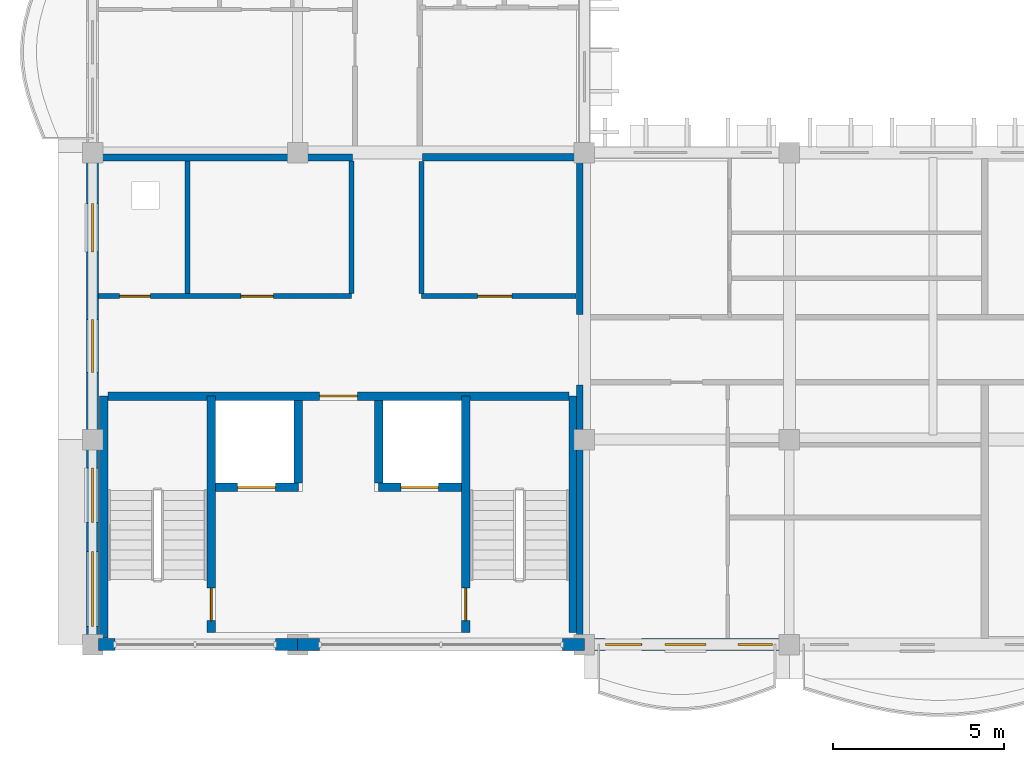
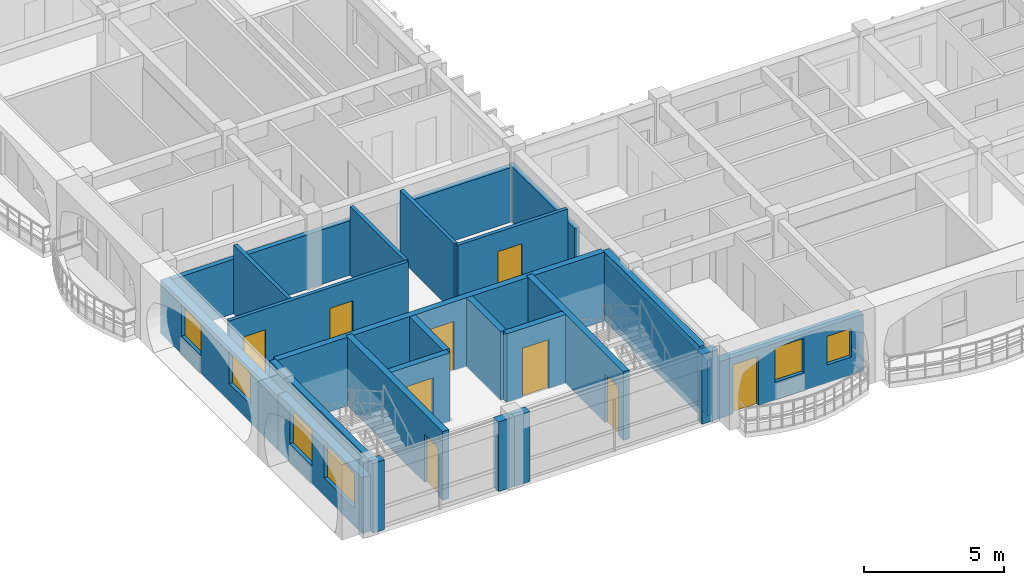
# One storey, part 41 of 101: 25 walls, 9 doors, 6 windows, 15 openings.
"""IFC4 building model written with IfcOpenShell, lengths in metres."""

import ifcopenshell
import ifcopenshell.guid

model = None  # the IFC model being written
_history = None  # IfcOwnerHistory: only IFC2X3 demands one
_inside = {}  # id of a spatial element -> (the spatial element, [elements in it])
_under = {}  # id of a project, library or spatial element -> (it, [spatial elements below it])
_declared = {}  # id of a project -> (the project, [libraries it declares])
_typed = {}  # id of a type object -> (the type object, [elements of that type])
_made_of = {}  # id of a material, layer set ... -> (it, [elements and type objects made of it])


def new_model(schema):
    """Start an empty IFC model of exactly this schema.

    Asked for "IFC4X3", IfcOpenShell would pick the latest addendum, in which some entities
    have other attributes; the version numbers below select the first issue.
    IFC2X3 requires an IfcOwnerHistory on every rooted entity: one is made here for all.
    """
    global model, _history
    if schema == "IFC4X3":
        model = ifcopenshell.file(schema_version=(4, 3, 0, 0))
    else:
        model = ifcopenshell.file(schema=schema)
    _inside.clear()
    _under.clear()
    _declared.clear()
    _typed.clear()
    _made_of.clear()
    _history = None
    if model.schema == "IFC2X3":
        org = make("IfcOrganization", Name="unknown")
        user = make(
            "IfcPersonAndOrganization",
            ThePerson=make("IfcPerson", FamilyName="unknown"),
            TheOrganization=org,
        )
        app = make(
            "IfcApplication",
            ApplicationDeveloper=org,
            Version="unknown",
            ApplicationFullName="unknown",
            ApplicationIdentifier="unknown",
        )
        _history = make(
            "IfcOwnerHistory",
            OwningUser=user,
            OwningApplication=app,
            ChangeAction="ADDED",
            CreationDate=0,
        )
    return model


def make(cls, **values):
    """One entity of the class cls with the attributes given. An attribute that is None is left unset."""
    return model.create_entity(
        cls, **{name: value for name, value in values.items() if value is not None}
    )


def rooted(cls, **values):
    """An entity with a GlobalId (a new one), such as an element, a storey or a relation."""
    return make(cls, GlobalId=ifcopenshell.guid.new(), OwnerHistory=_history, **values)


def si_unit(unit_type, name, prefix=None):
    """IfcSIUnit, for example si_unit("LENGTHUNIT", "METRE", prefix="MILLI")."""
    return make("IfcSIUnit", UnitType=unit_type, Prefix=prefix, Name=name)


def assignment(units):
    """IfcUnitAssignment: the units of a project."""
    return None if units is None else make("IfcUnitAssignment", Units=units)


def point(xyz):
    """IfcCartesianPoint."""
    return None if xyz is None else make("IfcCartesianPoint", Coordinates=xyz)


def direction(xyz):
    """IfcDirection."""
    return None if xyz is None else make("IfcDirection", DirectionRatios=xyz)


def frame(location, z_axis=None, x_axis=None):
    """IfcAxis2Placement3D, a coordinate frame: its origin and axes. An axis left out is left unset."""
    return make(
        "IfcAxis2Placement3D",
        Location=point(location),
        Axis=direction(z_axis),
        RefDirection=direction(x_axis),
    )


def frame_2d(location, x_axis=None):
    """IfcAxis2Placement2D, a coordinate frame in the plane: its origin and x axis."""
    return make(
        "IfcAxis2Placement2D", Location=point(location), RefDirection=direction(x_axis)
    )


def origin():
    """The frame at (0, 0, 0) with its axes left unset."""
    return frame((0.0, 0.0, 0.0))


def place(relative_to, where):
    """IfcLocalPlacement: puts the frame where relative to a parent placement (None: the world)."""
    return make(
        "IfcLocalPlacement", PlacementRelTo=relative_to, RelativePlacement=where
    )


def context(
    kind, dimensions, precision=None, world=None, true_north=None, identifier=None
):
    """IfcGeometricRepresentationContext, for example the 3D "Model" context."""
    return make(
        "IfcGeometricRepresentationContext",
        ContextIdentifier=identifier,
        ContextType=kind,
        CoordinateSpaceDimension=dimensions,
        Precision=precision,
        WorldCoordinateSystem=world,
        TrueNorth=true_north,
    )


def subcontext(parent, identifier, kind, view, scale=None):
    """IfcGeometricRepresentationSubContext, for example "Body" below "Model"."""
    return make(
        "IfcGeometricRepresentationSubContext",
        ContextIdentifier=identifier,
        ContextType=kind,
        ParentContext=parent,
        TargetScale=scale,
        TargetView=view,
    )


def project(units=None, contexts=None):
    """IfcProject with its units and contexts."""
    return rooted(
        "IfcProject",
        Name="project",
        RepresentationContexts=contexts,
        UnitsInContext=assignment(units),
    )


def spatial(cls, under=None, at=None, **own):
    """A site, building, storey or space (cls), placed at a placement, below another one or the project."""
    s = rooted(cls, ObjectPlacement=at, **own)
    if under is not None:
        _under.setdefault(under.id(), (under, []))[1].append(s)
    return s


def profile(cls, at=None, kind="AREA", **sizes):
    """A parametric profile (cls). Its sizes go by their IFC names, for example OverallWidth=200.0."""
    return make(cls, ProfileType=kind, Position=at, **sizes)


def rectangle(**sizes):
    """IfcRectangleProfileDef."""
    return profile("IfcRectangleProfileDef", **sizes)


def extrude(swept, where, along, depth):
    """IfcExtrudedAreaSolid: the profile swept, set in the frame where, extruded along a direction by depth."""
    return make(
        "IfcExtrudedAreaSolid",
        SweptArea=swept,
        Position=where,
        ExtrudedDirection=direction(along),
        Depth=depth,
    )


def shape(context_of_items, identifier, shape_type, items):
    """IfcShapeRepresentation: the items that make up one representation, for example the "Body"."""
    return make(
        "IfcShapeRepresentation",
        ContextOfItems=context_of_items,
        RepresentationIdentifier=identifier,
        RepresentationType=shape_type,
        Items=items,
    )


def material(Name=None, Category=None):
    """IfcMaterial."""
    return make("IfcMaterial", Name=Name, Category=Category)


def layer(
    of_material, thickness, ventilated=None, Name=None, Category=None, Priority=None
):
    """IfcMaterialLayer: one layer of a wall or slab, of a material (None: an air gap)."""
    return make(
        "IfcMaterialLayer",
        Material=of_material,
        LayerThickness=thickness,
        IsVentilated=ventilated,
        Name=Name,
        Category=Category,
        Priority=Priority,
    )


def layer_set(layers, Name=None):
    """IfcMaterialLayerSet."""
    return make("IfcMaterialLayerSet", MaterialLayers=layers, LayerSetName=Name)


def made_of(thing, what):
    """Note that an element or type object is made of a material, layer set ...; save() writes the relation."""
    if what is not None:
        _made_of.setdefault(what.id(), (what, []))[1].append(thing)
    return thing


def type_object(cls, material=None, **own):
    """A type object (cls), such as IfcWallType, which elements share."""
    return made_of(rooted(cls, **own), material)


def element(
    cls,
    number,
    at=None,
    inside=None,
    cuts=None,
    type_object=None,
    material=None,
    context=None,
    identifier="Body",
    shape_type=None,
    held_by="IfcProductDefinitionShape",
    body=None,
    shapes=None,
    **own,
):
    """One element of the class cls, such as IfcWall. Its Tag is "e" and its number.

    at: its placement. inside: the storey or other place that contains it. cuts: it is an
    opening in that element (IfcRelVoidsElement). A single representation is given by context,
    identifier, shape_type and body (its items); several are given by shapes. held_by: the class
    of the entity that holds the representations. save() writes the other relations.
    """
    e = rooted(cls, Tag="e%d" % number, ObjectPlacement=at, **own)
    if body is not None:
        shapes = [shape(context, identifier, shape_type, body)]
    if shapes is not None:
        e.Representation = make(held_by, Representations=shapes)
    if inside is not None:
        _inside.setdefault(inside.id(), (inside, []))[1].append(e)
    if cuts is not None:
        rooted(
            "IfcRelVoidsElement", RelatingBuildingElement=cuts, RelatedOpeningElement=e
        )
    if type_object is not None:
        _typed.setdefault(type_object.id(), (type_object, []))[1].append(e)
    return made_of(e, material)


def fill(opening, filler):
    """IfcRelFillsElement: the door or window that sits in an opening."""
    return rooted(
        "IfcRelFillsElement",
        RelatingOpeningElement=opening,
        RelatedBuildingElement=filler,
    )


def aggregate(whole, parts):
    """IfcRelAggregates: a whole, such as a stair, and the parts it consists of."""
    return rooted("IfcRelAggregates", RelatingObject=whole, RelatedObjects=parts)


def save(model, path):
    """Write the relations noted so far, then the file.

    IfcRelAggregates (storeys below a building ...), IfcRelContainedInSpatialStructure (elements
    in a storey), IfcRelDefinesByType, IfcRelAssociatesMaterial and IfcRelDeclares: one each for
    every whole, place, type object, material and project.
    """
    for whole, parts in _under.values():
        aggregate(whole, parts)
    for where, things in _inside.values():
        rooted(
            "IfcRelContainedInSpatialStructure",
            RelatedElements=things,
            RelatingStructure=where,
        )
    for kind, things in _typed.values():
        rooted("IfcRelDefinesByType", RelatedObjects=things, RelatingType=kind)
    for what, things in _made_of.values():
        rooted("IfcRelAssociatesMaterial", RelatedObjects=things, RelatingMaterial=what)
    for by, libraries in _declared.values():
        rooted("IfcRelDeclares", RelatingContext=by, RelatedDefinitions=libraries)
    model.write(path)


model = new_model("IFC4")

# Units and contexts
model_context = context("Model", 3, precision=1e-05, world=origin(), true_north=direction((0.0, 1.0)))
body_context = subcontext(model_context, "Body", "Model", "MODEL_VIEW")
ifc_project = project(units=[si_unit("LENGTHUNIT", "METRE"), si_unit("AREAUNIT", "SQUARE_METRE"), si_unit("VOLUMEUNIT", "CUBIC_METRE"), si_unit("PLANEANGLEUNIT", "RADIAN"), si_unit("MASSUNIT", "GRAM", prefix="KILO"), si_unit("THERMODYNAMICTEMPERATUREUNIT", "KELVIN")], contexts=[model_context])

# Site, building, storey
site_placement = place(None, origin())
site = spatial("IfcSite", under=ifc_project, at=site_placement, CompositionType="ELEMENT")
building_placement = place(site_placement, origin())
building = spatial("IfcBuilding", under=site, at=building_placement, Name="Thalorik Housing Commons", CompositionType="ELEMENT")
storey_placement = place(building_placement, frame((0.0, 0.0, 8.10009765625)))
storey = spatial("IfcBuildingStorey", under=building, at=storey_placement, Name="L02", CompositionType="ELEMENT", Elevation=8.10009765625)

# Wall, opening, door
ifc_material_1 = material(Name="Concrete C40/50", Category="concrete")
ifc_layer_1 = layer(ifc_material_1, 0.25, Name="Concrete C40/50", Category="concrete")
ifc_layer_set_1 = layer_set([ifc_layer_1], Name="Concrete C40/50")
wall_type_1 = type_object("IfcWallType", Name="ARC-WAL-CORE-250", PredefinedType="SHEAR", material=ifc_layer_set_1)
wall_1_placement = place(storey_placement, frame((11.875, 8.75, 0.0), z_axis=(0.0, 0.0, 1.0), x_axis=(0.0, 1.0, 0.0)))
wall_1 = element("IfcWall", 1, at=wall_1_placement, inside=storey, type_object=wall_type_1, Name="L02 Core C Stair 1 Shear Wall", PredefinedType="SHEAR", context=body_context, shape_type="SweptSolid", body=[
    extrude(rectangle(XDim=6.925048828125, YDim=0.25, at=frame_2d((3.46240234375, 0.0))), origin(), (0.0, 0.0, 1.0), 3.0),
])
opening_1_placement = place(wall_1_placement, frame((0.35009765625, 0.0, 0.0)))
opening_1 = element("IfcOpeningElement", 2, at=opening_1_placement, cuts=wall_1, Name="Opening ID-0273", PredefinedType="OPENING", context=body_context, shape_type="SweptSolid", body=[
    extrude(rectangle(XDim=0.949951171875, YDim=2.10009765625, at=frame_2d((0.47509765625, 1.050048828125))), frame((0.0, 0.135009765625, 0.0), z_axis=(0.0, -1.0, 0.0), x_axis=(1.0, 0.0, 0.0)), (0.0, 0.0, 1.0), 0.27001953125),
])
ifc_material_2 = material(Name="Steel S355", Category="steel")
door_type_1 = type_object("IfcDoorType", Name="ARC-DR-FD60-950", OperationType="NOTDEFINED", PredefinedType="DOOR", material=ifc_material_2)
door_1_placement = place(opening_1_placement, origin())
door_1 = element("IfcDoor", 3, at=door_1_placement, inside=storey, type_object=door_type_1, Name="L02 Stair ST-C1 Fire Door", OperationType="SINGLE_SWING_RIGHT", OverallHeight=2.10009765625, OverallWidth=0.949951171875, PredefinedType="DOOR", context=body_context, shape_type="SweptSolid", body=[
    extrude(rectangle(XDim=0.949951171875, YDim=2.10009765625, at=frame_2d((0.47509765625, 1.050048828125))), frame((0.0, 0.02490234375, 0.0), z_axis=(0.0, -1.0, 0.0), x_axis=(1.0, 0.0, 0.0)), (0.0, 0.0, 1.0), 0.050048828125),
])
fill(opening_1, door_1)

# Walls
wall_2_placement = place(storey_placement, frame((8.72509765625, 8.60009765625, 0.0), z_axis=(0.0, 0.0, 1.0), x_axis=(0.0, 1.0, 0.0)))
element("IfcWall", 4, at=wall_2_placement, inside=storey, type_object=wall_type_1, Name="L02 Core C Stair 1 Outer Shear Wall", PredefinedType="SHEAR", context=body_context, shape_type="SweptSolid", body=[
    extrude(rectangle(XDim=7.074951171875, YDim=0.25, at=frame_2d((3.53759765625, 0.0))), origin(), (0.0, 0.0, 1.0), 3.0),
])
wall_3_placement = place(storey_placement, frame((22.47509765625, 8.75, 0.0), z_axis=(0.0, 0.0, 1.0), x_axis=(0.0, 1.0, 0.0)))
element("IfcWall", 5, at=wall_3_placement, inside=storey, type_object=wall_type_1, Name="L02 Core C Stair 2 Outer Shear Wall", PredefinedType="SHEAR", context=body_context, shape_type="SweptSolid", body=[
    extrude(rectangle(XDim=6.925048828125, YDim=0.25, at=frame_2d((3.46240234375, 0.0))), origin(), (0.0, 0.0, 1.0), 3.0),
])

# Wall, opening, door
wall_4_placement = place(storey_placement, frame((19.324951171875, 8.75, 0.0), z_axis=(0.0, 0.0, 1.0), x_axis=(0.0, 1.0, 0.0)))
wall_4 = element("IfcWall", 6, at=wall_4_placement, inside=storey, type_object=wall_type_1, Name="L02 Core C Stair 2 Shear Wall", PredefinedType="SHEAR", context=body_context, shape_type="SweptSolid", body=[
    extrude(rectangle(XDim=6.925048828125, YDim=0.25, at=frame_2d((3.46240234375, 0.0))), origin(), (0.0, 0.0, 1.0), 3.0),
])
opening_2_placement = place(wall_4_placement, frame((0.35009765625, 0.0, 0.0)))
opening_2 = element("IfcOpeningElement", 7, at=opening_2_placement, cuts=wall_4, Name="Opening ID-0274", PredefinedType="OPENING", context=body_context, shape_type="SweptSolid", body=[
    extrude(rectangle(XDim=0.949951171875, YDim=2.10009765625, at=frame_2d((0.47509765625, 1.050048828125))), frame((0.0, 0.135009765625, 0.0), z_axis=(0.0, -1.0, 0.0), x_axis=(1.0, 0.0, 0.0)), (0.0, 0.0, 1.0), 0.27001953125),
])
door_2_placement = place(opening_2_placement, origin())
door_2 = element("IfcDoor", 8, at=door_2_placement, inside=storey, type_object=door_type_1, Name="L02 Stair ST-C2 Fire Door", OperationType="SINGLE_SWING_LEFT", OverallHeight=2.10009765625, OverallWidth=0.949951171875, PredefinedType="DOOR", context=body_context, shape_type="SweptSolid", body=[
    extrude(rectangle(XDim=0.949951171875, YDim=2.10009765625, at=frame_2d((0.47509765625, 1.050048828125))), frame((0.0, 0.02490234375, 0.0), z_axis=(0.0, -1.0, 0.0), x_axis=(1.0, 0.0, 0.0)), (0.0, 0.0, 1.0), 0.050048828125),
])
fill(opening_2, door_2)

wall_5_placement = place(storey_placement, frame((12.0, 13.0, 0.0), z_axis=(0.0, 0.0, 1.0), x_axis=(1.0, 0.0, 0.0)))
wall_5 = element("IfcWall", 9, at=wall_5_placement, inside=storey, type_object=wall_type_1, Name="L02 Lift LF-C1 Front Shaft Wall", PredefinedType="SHEAR", context=body_context, shape_type="SweptSolid", body=[
    extrude(rectangle(XDim=2.425048828125, YDim=0.25, at=frame_2d((1.21240234375, 0.0))), origin(), (0.0, 0.0, 1.0), 3.0),
])
opening_3_placement = place(wall_5_placement, frame((0.64990234375, 0.0, 0.0)))
opening_3 = element("IfcOpeningElement", 10, at=opening_3_placement, cuts=wall_5, Name="Opening LD-LF-C1-L02", PredefinedType="OPENING", context=body_context, shape_type="SweptSolid", body=[
    extrude(rectangle(XDim=1.10009765625, YDim=2.14990234375, at=frame_2d((0.550048828125, 1.074951171875))), frame((0.0, 0.135009765625, 0.0), z_axis=(0.0, -1.0, 0.0), x_axis=(1.0, 0.0, 0.0)), (0.0, 0.0, 1.0), 0.27001953125),
])
door_type_2 = type_object("IfcDoorType", Name="ARC-DR-LIFT-1100", OperationType="NOTDEFINED", PredefinedType="DOOR", material=ifc_material_2)
door_3_placement = place(opening_3_placement, origin())
door_3 = element("IfcDoor", 11, at=door_3_placement, inside=storey, type_object=door_type_2, Name="L02 Lift LF-C1 Landing Door", OperationType="SLIDING_TO_LEFT", OverallHeight=2.14990234375, OverallWidth=1.10009765625, PredefinedType="DOOR", context=body_context, shape_type="SweptSolid", body=[
    extrude(rectangle(XDim=1.10009765625, YDim=2.14990234375, at=frame_2d((0.550048828125, 1.074951171875))), frame((0.0, 0.02490234375, 0.0), z_axis=(0.0, -1.0, 0.0), x_axis=(1.0, 0.0, 0.0)), (0.0, 0.0, 1.0), 0.050048828125),
])
fill(opening_3, door_3)

wall_6_placement = place(storey_placement, frame((16.77490234375, 13.0, 0.0), z_axis=(0.0, 0.0, 1.0), x_axis=(1.0, 0.0, 0.0)))
wall_6 = element("IfcWall", 12, at=wall_6_placement, inside=storey, type_object=wall_type_1, Name="L02 Lift LP-C2 Front Shaft Wall", PredefinedType="SHEAR", context=body_context, shape_type="SweptSolid", body=[
    extrude(rectangle(XDim=2.425048828125, YDim=0.25, at=frame_2d((1.21240234375, 0.0))), origin(), (0.0, 0.0, 1.0), 3.0),
])
opening_4_placement = place(wall_6_placement, frame((0.64990234375, 0.0, 0.0)))
opening_4 = element("IfcOpeningElement", 13, at=opening_4_placement, cuts=wall_6, Name="Opening LD-LP-C2-L02", PredefinedType="OPENING", context=body_context, shape_type="SweptSolid", body=[
    extrude(rectangle(XDim=1.10009765625, YDim=2.14990234375, at=frame_2d((0.550048828125, 1.074951171875))), frame((0.0, 0.135009765625, 0.0), z_axis=(0.0, -1.0, 0.0), x_axis=(1.0, 0.0, 0.0)), (0.0, 0.0, 1.0), 0.27001953125),
])
door_4_placement = place(opening_4_placement, origin())
door_4 = element("IfcDoor", 14, at=door_4_placement, inside=storey, type_object=door_type_2, Name="L02 Lift LP-C2 Landing Door", OperationType="SLIDING_TO_LEFT", OverallHeight=2.14990234375, OverallWidth=1.10009765625, PredefinedType="DOOR", context=body_context, shape_type="SweptSolid", body=[
    extrude(rectangle(XDim=1.10009765625, YDim=2.14990234375, at=frame_2d((0.550048828125, 1.074951171875))), frame((0.0, 0.02490234375, 0.0), z_axis=(0.0, -1.0, 0.0), x_axis=(1.0, 0.0, 0.0)), (0.0, 0.0, 1.0), 0.050048828125),
])
fill(opening_4, door_4)

# Walls
for number, where, z_axis, x_axis, name in (
    (15, (14.425048828125, 13.125, 0.0), (0.0, 0.0, 1.0), (0.0, 1.0, 0.0), "L02 Lift 1 Cheek Wall"),
    (16, (16.77490234375, 13.125, 0.0), (0.0, 0.0, 1.0), (0.0, 1.0, 0.0), "L02 Lift 2 Cheek Wall"),
):
    element("IfcWall", number, at=place(storey_placement, frame(where, z_axis=z_axis, x_axis=x_axis)), inside=storey, type_object=wall_type_1, Name=name, PredefinedType="SHEAR", context=body_context, shape_type="SweptSolid", body=[
        extrude(rectangle(XDim=2.425048828125, YDim=0.25, at=frame_2d((1.21240234375, 0.0))), origin(), (0.0, 0.0, 1.0), 3.0),
    ])

# Wall, opening, door
wall_7_placement = place(storey_placement, frame((8.85009765625, 15.675048828125, 0.0), z_axis=(0.0, 0.0, 1.0), x_axis=(1.0, 0.0, 0.0)))
wall_7 = element("IfcWall", 17, at=wall_7_placement, inside=storey, type_object=wall_type_1, Name="L02 Core C Spine Shear Wall", PredefinedType="SHEAR", context=body_context, shape_type="SweptSolid", body=[
    extrude(rectangle(XDim=13.5, YDim=0.25, at=frame_2d((6.75, 0.0))), origin(), (0.0, 0.0, 1.0), 3.0),
])
opening_5_placement = place(wall_7_placement, frame((6.199951171875, 0.0, 0.0)))
opening_5 = element("IfcOpeningElement", 18, at=opening_5_placement, cuts=wall_7, Name="Opening ID-0277", PredefinedType="OPENING", context=body_context, shape_type="SweptSolid", body=[
    extrude(rectangle(XDim=1.10009765625, YDim=2.14990234375, at=frame_2d((0.550048828125, 1.074951171875))), frame((0.0, 0.135009765625, 0.0), z_axis=(0.0, -1.0, 0.0), x_axis=(1.0, 0.0, 0.0)), (0.0, 0.0, 1.0), 0.27001953125),
])
door_type_3 = type_object("IfcDoorType", Name="ARC-DR-FD60-1100", OperationType="NOTDEFINED", PredefinedType="DOOR", material=ifc_material_2)
door_5_placement = place(opening_5_placement, origin())
door_5 = element("IfcDoor", 19, at=door_5_placement, inside=storey, type_object=door_type_3, Name="L02 Core C Lobby Fire Door", OperationType="SINGLE_SWING_RIGHT", OverallHeight=2.14990234375, OverallWidth=1.10009765625, PredefinedType="DOOR", context=body_context, shape_type="SweptSolid", body=[
    extrude(rectangle(XDim=1.10009765625, YDim=2.14990234375, at=frame_2d((0.550048828125, 1.074951171875))), frame((0.0, 0.02490234375, 0.0), z_axis=(0.0, -1.0, 0.0), x_axis=(1.0, 0.0, 0.0)), (0.0, 0.0, 1.0), 0.050048828125),
])
fill(opening_5, door_5)

# Wall, openings, windows
ifc_material_3 = material(Name="White precast concrete C40/50", Category="concrete")
ifc_layer_2 = layer(ifc_material_3, 0.35009765625, Name="White precast concrete C40/50", Category="concrete")
ifc_layer_set_2 = layer_set([ifc_layer_2], Name="White precast concrete C40/50")
wall_type_2 = type_object("IfcWallType", Name="ARC-WAL-EXT-350", PredefinedType="STANDARD", material=ifc_layer_set_2)
wall_8_placement = place(storey_placement, frame((8.39990234375, 22.800048828125, 0.0), z_axis=(0.0, 0.0, 1.0), x_axis=(0.0, -1.0, 0.0)))
wall_8 = element("IfcWall", 20, at=wall_8_placement, inside=storey, type_object=wall_type_2, Name="L02 Exterior Wall WAL-EXT-L02-C-0889", PredefinedType="STANDARD", context=body_context, shape_type="SweptSolid", body=[
    extrude(rectangle(XDim=8.400146484375, YDim=0.35009765625, at=frame_2d((4.2001953125, 0.0))), origin(), (0.0, 0.0, 1.0), 2.344970703125),
])
opening_6_placement = place(wall_8_placement, frame((1.485107421875, 0.0, 0.780029296875)))
opening_6 = element("IfcOpeningElement", 21, at=opening_6_placement, cuts=wall_8, Name="Opening W-50", PredefinedType="OPENING", context=body_context, shape_type="SweptSolid", body=[
    extrude(rectangle(XDim=1.419921875, YDim=1.3798828125, at=frame_2d((0.7099609375, 0.68994140625))), frame((0.0, 0.18505859375, 0.0), z_axis=(0.0, -1.0, 0.0), x_axis=(1.0, 0.0, 0.0)), (0.0, 0.0, 1.0), 0.3701171875),
])
opening_7_placement = place(wall_8_placement, frame((4.887451171875, 0.0, 0.780029296875)))
opening_7 = element("IfcOpeningElement", 22, at=opening_7_placement, cuts=wall_8, Name="Opening W-12", PredefinedType="OPENING", context=body_context, shape_type="SweptSolid", body=[
    extrude(rectangle(XDim=1.550048828125, YDim=1.39990234375, at=frame_2d((0.77490234375, 0.699951171875))), frame((0.0, 0.18505859375, 0.0), z_axis=(0.0, -1.0, 0.0), x_axis=(1.0, 0.0, 0.0)), (0.0, 0.0, 1.0), 0.3701171875),
])
ifc_material_4 = material(Name="Anodised aluminium and solar-control low-E glass", Category="aluminium")
window_type_1 = type_object("IfcWindowType", Name="ARC-WIN-12", PartitioningType="SINGLE_PANEL", PredefinedType="WINDOW", material=ifc_material_4)
window_1_placement = place(opening_7_placement, origin())
window_1 = element("IfcWindow", 23, at=window_1_placement, inside=storey, type_object=window_type_1, Name="L02 Facade Window 1646", OverallHeight=1.39990234375, OverallWidth=1.550048828125, PartitioningType="SINGLE_PANEL", PredefinedType="WINDOW", context=body_context, shape_type="SweptSolid", body=[
    extrude(rectangle(XDim=1.550048828125, YDim=1.39990234375, at=frame_2d((0.77490234375, 0.699951171875))), frame((0.0, 0.030029296875, 0.0), z_axis=(0.0, -1.0, 0.0), x_axis=(1.0, 0.0, 0.0)), (0.0, 0.0, 1.0), 0.06005859375),
])
fill(opening_7, window_1)
window_type_2 = type_object("IfcWindowType", Name="ARC-WIN-50", PartitioningType="SINGLE_PANEL", PredefinedType="WINDOW", material=ifc_material_4)
window_2_placement = place(opening_6_placement, origin())
window_2 = element("IfcWindow", 24, at=window_2_placement, inside=storey, type_object=window_type_2, Name="L02 Facade Window 1645", OverallHeight=1.3798828125, OverallWidth=1.419921875, PartitioningType="SINGLE_PANEL", PredefinedType="WINDOW", context=body_context, shape_type="SweptSolid", body=[
    extrude(rectangle(XDim=1.419921875, YDim=1.3798828125, at=frame_2d((0.7099609375, 0.68994140625))), frame((0.0, 0.030029296875, 0.0), z_axis=(0.0, -1.0, 0.0), x_axis=(1.0, 0.0, 0.0)), (0.0, 0.0, 1.0), 0.06005859375),
])
fill(opening_6, window_2)

wall_9_placement = place(storey_placement, frame((8.39990234375, 14.39990234375, 0.0), z_axis=(0.0, 0.0, 1.0), x_axis=(0.0, -1.0, 0.0)))
wall_9 = element("IfcWall", 25, at=wall_9_placement, inside=storey, type_object=wall_type_2, Name="L02 Exterior Wall WAL-EXT-L02-C-0890", PredefinedType="STANDARD", context=body_context, shape_type="SweptSolid", body=[
    extrude(rectangle(XDim=6.0, YDim=0.35009765625, at=frame_2d((3.0, 0.0))), origin(), (0.0, 0.0, 1.0), 2.44482421875),
])
opening_8_placement = place(wall_9_placement, frame((0.830078125, 0.0, 0.780029296875)))
opening_8 = element("IfcOpeningElement", 26, at=opening_8_placement, cuts=wall_9, Name="Opening W-13", PredefinedType="OPENING", context=body_context, shape_type="SweptSolid", body=[
    extrude(rectangle(XDim=1.60009765625, YDim=1.550048828125, at=frame_2d((0.800048828125, 0.77490234375))), frame((0.0, 0.18505859375, 0.0), z_axis=(0.0, -1.0, 0.0), x_axis=(1.0, 0.0, 0.0)), (0.0, 0.0, 1.0), 0.3701171875),
])
opening_9_placement = place(wall_9_placement, frame((3.27001953125, 0.0, 0.780029296875)))
opening_9 = element("IfcOpeningElement", 27, at=opening_9_placement, cuts=wall_9, Name="Opening W-29", PredefinedType="OPENING", context=body_context, shape_type="SweptSolid", body=[
    extrude(rectangle(XDim=2.199951171875, YDim=1.5, at=frame_2d((1.10009765625, 0.75))), frame((0.0, 0.18505859375, 0.0), z_axis=(0.0, -1.0, 0.0), x_axis=(1.0, 0.0, 0.0)), (0.0, 0.0, 1.0), 0.3701171875),
])
window_type_3 = type_object("IfcWindowType", Name="ARC-WIN-13", PartitioningType="DOUBLE_PANEL_VERTICAL", PredefinedType="WINDOW", material=ifc_material_4)
window_3_placement = place(opening_8_placement, origin())
window_3 = element("IfcWindow", 28, at=window_3_placement, inside=storey, type_object=window_type_3, Name="L02 Facade Window 1647", OverallHeight=1.550048828125, OverallWidth=1.60009765625, PartitioningType="DOUBLE_PANEL_VERTICAL", PredefinedType="WINDOW", context=body_context, shape_type="SweptSolid", body=[
    extrude(rectangle(XDim=1.60009765625, YDim=1.550048828125, at=frame_2d((0.800048828125, 0.77490234375))), frame((0.0, 0.030029296875, 0.0), z_axis=(0.0, -1.0, 0.0), x_axis=(1.0, 0.0, 0.0)), (0.0, 0.0, 1.0), 0.06005859375),
])
fill(opening_8, window_3)
window_type_4 = type_object("IfcWindowType", Name="ARC-WIN-29", PartitioningType="DOUBLE_PANEL_VERTICAL", PredefinedType="WINDOW", material=ifc_material_4)
window_4_placement = place(opening_9_placement, origin())
window_4 = element("IfcWindow", 29, at=window_4_placement, inside=storey, type_object=window_type_4, Name="L02 Facade Window 1648", OverallHeight=1.5, OverallWidth=2.199951171875, PartitioningType="DOUBLE_PANEL_VERTICAL", PredefinedType="WINDOW", context=body_context, shape_type="SweptSolid", body=[
    extrude(rectangle(XDim=2.199951171875, YDim=1.5, at=frame_2d((1.10009765625, 0.75))), frame((0.0, 0.030029296875, 0.0), z_axis=(0.0, -1.0, 0.0), x_axis=(1.0, 0.0, 0.0)), (0.0, 0.0, 1.0), 0.06005859375),
])
fill(opening_9, window_4)

# Walls
wall_10_placement = place(storey_placement, frame((8.576904296875, 8.39990234375, 0.0), z_axis=(0.0, 0.0, 1.0), x_axis=(1.0, 0.0, 0.0)))
element("IfcWall", 30, at=wall_10_placement, inside=storey, type_object=wall_type_2, Name="L02 Exterior Wall WAL-PIERL-L02-C-0891", PredefinedType="STANDARD", context=body_context, shape_type="SweptSolid", body=[
    extrude(rectangle(XDim=0.47314453125, YDim=0.35009765625, at=frame_2d((0.236572265625, 0.0))), origin(), (0.0, 0.0, 1.0), 3.039794921875),
])
wall_11_placement = place(storey_placement, frame((13.75, 8.39990234375, 0.0), z_axis=(0.0, 0.0, 1.0), x_axis=(1.0, 0.0, 0.0)))
element("IfcWall", 31, at=wall_11_placement, inside=storey, type_object=wall_type_2, Name="L02 Exterior Wall WAL-PIERR-L02-C-0891", PredefinedType="STANDARD", context=body_context, shape_type="SweptSolid", body=[
    extrude(rectangle(XDim=0.64990234375, YDim=0.35009765625, at=frame_2d((0.324951171875, 0.0))), origin(), (0.0, 0.0, 1.0), 3.039794921875),
])
for number, where, z_axis, x_axis, name in (
    (32, (14.39990234375, 8.39990234375, 0.0), (0.0, 0.0, 1.0), (1.0, 0.0, 0.0), "L02 Exterior Wall WAL-PIERL-L02-C-0892"),
    (33, (22.14990234375, 8.39990234375, 0.0), (0.0, 0.0, 1.0), (1.0, 0.0, 0.0), "L02 Exterior Wall WAL-PIERR-L02-C-0892"),
):
    element("IfcWall", number, at=place(storey_placement, frame(where, z_axis=z_axis, x_axis=x_axis)), inside=storey, type_object=wall_type_2, Name=name, PredefinedType="STANDARD", context=body_context, shape_type="SweptSolid", body=[
        extrude(rectangle(XDim=0.650146484375, YDim=0.35009765625, at=frame_2d((0.3251953125, 0.0))), origin(), (0.0, 0.0, 1.0), 3.039794921875),
    ])

# Wall, openings, door, windows
wall_12_placement = place(storey_placement, frame((22.800048828125, 8.39990234375, 0.0), z_axis=(0.0, 0.0, 1.0), x_axis=(1.0, 0.0, 0.0)))
wall_12 = element("IfcWall", 34, at=wall_12_placement, inside=storey, type_object=wall_type_2, Name="L02 Exterior Wall WAL-EXT-L02-C-0893", PredefinedType="STANDARD", context=body_context, shape_type="SweptSolid", body=[
    extrude(rectangle(XDim=6.0, YDim=0.35009765625, at=frame_2d((3.0, 0.0))), origin(), (0.0, 0.0, 1.0), 2.474853515625),
])
opening_10_placement = place(wall_12_placement, frame((0.6201171875, 0.0, 0.0)))
opening_10 = element("IfcOpeningElement", 35, at=opening_10_placement, cuts=wall_12, Name="Opening ED-0293", PredefinedType="OPENING", context=body_context, shape_type="SweptSolid", body=[
    extrude(rectangle(XDim=1.050048828125, YDim=2.14990234375, at=frame_2d((0.52490234375, 1.074951171875))), frame((0.0, 0.18505859375, 0.0), z_axis=(0.0, -1.0, 0.0), x_axis=(1.0, 0.0, 0.0)), (0.0, 0.0, 1.0), 0.3701171875),
])
opening_11_placement = place(wall_12_placement, frame((2.35498046875, 0.0, 0.780029296875)))
opening_11 = element("IfcOpeningElement", 36, at=opening_11_placement, cuts=wall_12, Name="Opening W-05", PredefinedType="OPENING", context=body_context, shape_type="SweptSolid", body=[
    extrude(rectangle(XDim=1.199951171875, YDim=1.5, at=frame_2d((0.60009765625, 0.75))), frame((0.0, 0.18505859375, 0.0), z_axis=(0.0, -1.0, 0.0), x_axis=(1.0, 0.0, 0.0)), (0.0, 0.0, 1.0), 0.3701171875),
])
opening_12_placement = place(wall_12_placement, frame((4.5, 0.0, 0.780029296875)))
opening_12 = element("IfcOpeningElement", 37, at=opening_12_placement, cuts=wall_12, Name="Opening W-02", PredefinedType="OPENING", context=body_context, shape_type="SweptSolid", body=[
    extrude(rectangle(XDim=1.0, YDim=1.25, at=frame_2d((0.5, 0.625))), frame((0.0, 0.18505859375, 0.0), z_axis=(0.0, -1.0, 0.0), x_axis=(1.0, 0.0, 0.0)), (0.0, 0.0, 1.0), 0.3701171875),
])
ifc_material_5 = material(Name="Anodised aluminium and laminated safety glass", Category="aluminium")
door_type_4 = type_object("IfcDoorType", Name="ARC-DR-BAL-1050", OperationType="NOTDEFINED", PredefinedType="DOOR", material=ifc_material_5)
door_6_placement = place(opening_10_placement, frame((1.050048828125, 0.0, 0.0), z_axis=(0.0, 0.0, 1.0), x_axis=(-1.0, 0.0, 0.0)))
door_6 = element("IfcDoor", 38, at=door_6_placement, inside=storey, type_object=door_type_4, Name="L02 Block C Balcony Glazed Door", OperationType="SINGLE_SWING_RIGHT", OverallHeight=2.14990234375, OverallWidth=1.050048828125, PredefinedType="DOOR", context=body_context, shape_type="SweptSolid", body=[
    extrude(rectangle(XDim=1.050048828125, YDim=2.14990234375, at=frame_2d((0.52490234375, 1.074951171875))), frame((0.0, 0.02490234375, 0.0), z_axis=(0.0, -1.0, 0.0), x_axis=(1.0, 0.0, 0.0)), (0.0, 0.0, 1.0), 0.050048828125),
])
fill(opening_10, door_6)
window_type_5 = type_object("IfcWindowType", Name="ARC-WIN-02", PartitioningType="SINGLE_PANEL", PredefinedType="WINDOW", material=ifc_material_4)
window_5_placement = place(opening_12_placement, origin())
window_5 = element("IfcWindow", 39, at=window_5_placement, inside=storey, type_object=window_type_5, Name="L02 Facade Window 1650", OverallHeight=1.25, OverallWidth=1.0, PartitioningType="SINGLE_PANEL", PredefinedType="WINDOW", context=body_context, shape_type="SweptSolid", body=[
    extrude(rectangle(XDim=1.0, YDim=1.25, at=frame_2d((0.5, 0.625))), frame((0.0, 0.030029296875, 0.0), z_axis=(0.0, -1.0, 0.0), x_axis=(1.0, 0.0, 0.0)), (0.0, 0.0, 1.0), 0.06005859375),
])
fill(opening_12, window_5)
window_type_6 = type_object("IfcWindowType", Name="ARC-WIN-05", PartitioningType="SINGLE_PANEL", PredefinedType="WINDOW", material=ifc_material_4)
window_6_placement = place(opening_11_placement, origin())
window_6 = element("IfcWindow", 40, at=window_6_placement, inside=storey, type_object=window_type_6, Name="L02 Facade Window 1649", OverallHeight=1.5, OverallWidth=1.199951171875, PartitioningType="SINGLE_PANEL", PredefinedType="WINDOW", context=body_context, shape_type="SweptSolid", body=[
    extrude(rectangle(XDim=1.199951171875, YDim=1.5, at=frame_2d((0.60009765625, 0.75))), frame((0.0, 0.030029296875, 0.0), z_axis=(0.0, -1.0, 0.0), x_axis=(1.0, 0.0, 0.0)), (0.0, 0.0, 1.0), 0.06005859375),
])
fill(opening_11, window_6)

# Walls
ifc_material_6 = material(Name="Ceramic masonry partition wall", Category="masonry")
ifc_layer_3 = layer(ifc_material_6, 0.14794921875, Name="Ceramic masonry partition wall", Category="masonry")
ifc_layer_set_3 = layer_set([ifc_layer_3], Name="Ceramic masonry partition wall")
wall_type_3 = type_object("IfcWallType", Name="ARC-WAL-PART-150", PredefinedType="PARTITIONING", material=ifc_layer_set_3)
for number, where, z_axis, x_axis, name in (
    (41, (11.175048828125, 18.676025390625, 0.0), (0.0, 0.0, 1.0), (0.0, 1.0, 0.0), "Riser Wall"),
    (42, (15.97509765625, 18.676025390625, 0.0), (0.0, 0.0, 1.0), (0.0, 1.0, 0.0), "Core Stem West Cheek Wall"),
):
    element("IfcWall", number, at=place(storey_placement, frame(where, z_axis=z_axis, x_axis=x_axis)), inside=storey, type_object=wall_type_3, Name=name, PredefinedType="PARTITIONING", context=body_context, shape_type="SweptSolid", body=[
        extrude(rectangle(XDim=3.882080078125, YDim=0.14794921875, at=frame_2d((1.94091796875, 0.0))), origin(), (0.0, 0.0, 1.0), 3.0),
    ])
wall_13_placement = place(storey_placement, frame((18.02490234375, 18.676025390625, 0.0), z_axis=(0.0, 0.0, 1.0), x_axis=(0.0, 1.0, 0.0)))
element("IfcWall", 43, at=wall_13_placement, inside=storey, type_object=wall_type_3, Name="Core Stem East Cheek Wall", PredefinedType="PARTITIONING", context=body_context, shape_type="SweptSolid", body=[
    extrude(rectangle(XDim=3.8720703125, YDim=0.14794921875, at=frame_2d((1.93603515625, 0.0))), origin(), (0.0, 0.0, 1.0), 3.0),
])

# Wall, openings, doors
wall_14_placement = place(storey_placement, frame((8.576904296875, 18.60009765625, 0.0), z_axis=(0.0, 0.0, 1.0), x_axis=(1.0, 0.0, 0.0)))
wall_14 = element("IfcWall", 44, at=wall_14_placement, inside=storey, type_object=wall_type_3, Name="L02 Core C West Corridor Partition", PredefinedType="PARTITIONING", context=body_context, shape_type="SweptSolid", body=[
    extrude(rectangle(XDim=7.398193359375, YDim=0.14794921875, at=frame_2d((3.69921875, 0.0))), origin(), (0.0, 0.0, 1.0), 3.0),
])
opening_13_placement = place(wall_14_placement, frame((0.613037109375, 0.0, 0.0)))
opening_13 = element("IfcOpeningElement", 45, at=opening_13_placement, cuts=wall_14, Name="Opening ID-0278", PredefinedType="OPENING", context=body_context, shape_type="SweptSolid", body=[
    extrude(rectangle(XDim=0.89990234375, YDim=2.10009765625, at=frame_2d((0.449951171875, 1.050048828125))), frame((0.0, 0.083984375, 0.0), z_axis=(0.0, -1.0, 0.0), x_axis=(1.0, 0.0, 0.0)), (0.0, 0.0, 1.0), 0.16796875),
])
opening_14_placement = place(wall_14_placement, frame((4.1630859375, 0.0, 0.0)))
opening_14 = element("IfcOpeningElement", 46, at=opening_14_placement, cuts=wall_14, Name="Opening ID-0279", PredefinedType="OPENING", context=body_context, shape_type="SweptSolid", body=[
    extrude(rectangle(XDim=0.949951171875, YDim=2.10009765625, at=frame_2d((0.47509765625, 1.050048828125))), frame((0.0, 0.083984375, 0.0), z_axis=(0.0, -1.0, 0.0), x_axis=(1.0, 0.0, 0.0)), (0.0, 0.0, 1.0), 0.16796875),
])
door_type_5 = type_object("IfcDoorType", Name="ARC-DR-FD60-900", OperationType="NOTDEFINED", PredefinedType="DOOR", material=ifc_material_2)
door_7_placement = place(opening_13_placement, origin())
door_7 = element("IfcDoor", 47, at=door_7_placement, inside=storey, type_object=door_type_5, Name="Electrical Riser Door", OperationType="SINGLE_SWING_LEFT", OverallHeight=2.10009765625, OverallWidth=0.89990234375, PredefinedType="DOOR", context=body_context, shape_type="SweptSolid", body=[
    extrude(rectangle(XDim=0.89990234375, YDim=2.10009765625, at=frame_2d((0.449951171875, 1.050048828125))), frame((0.0, 0.02490234375, 0.0), z_axis=(0.0, -1.0, 0.0), x_axis=(1.0, 0.0, 0.0)), (0.0, 0.0, 1.0), 0.050048828125),
])
fill(opening_13, door_7)
ifc_material_7 = material(Name="Engineered oak timber", Category="wood")
door_type_6 = type_object("IfcDoorType", Name="ARC-DR-INT-950", OperationType="NOTDEFINED", PredefinedType="DOOR", material=ifc_material_7)
door_8_placement = place(opening_14_placement, origin())
door_8 = element("IfcDoor", 48, at=door_8_placement, inside=storey, type_object=door_type_6, Name="Accessible Bathroom Door", OperationType="SINGLE_SWING_RIGHT", OverallHeight=2.10009765625, OverallWidth=0.949951171875, PredefinedType="DOOR", context=body_context, shape_type="SweptSolid", body=[
    extrude(rectangle(XDim=0.949951171875, YDim=2.10009765625, at=frame_2d((0.47509765625, 1.050048828125))), frame((0.0, 0.02490234375, 0.0), z_axis=(0.0, -1.0, 0.0), x_axis=(1.0, 0.0, 0.0)), (0.0, 0.0, 1.0), 0.050048828125),
])
fill(opening_14, door_8)

# Wall, opening, door
wall_15_placement = place(storey_placement, frame((18.02490234375, 18.60009765625, 0.0), z_axis=(0.0, 0.0, 1.0), x_axis=(1.0, 0.0, 0.0)))
wall_15 = element("IfcWall", 49, at=wall_15_placement, inside=storey, type_object=wall_type_3, Name="L02 Core C East Corridor Partition", PredefinedType="PARTITIONING", context=body_context, shape_type="SweptSolid", body=[
    extrude(rectangle(XDim=4.533203125, YDim=0.14794921875, at=frame_2d((2.2666015625, 0.0))), origin(), (0.0, 0.0, 1.0), 3.0),
])
opening_15_placement = place(wall_15_placement, frame((1.64990234375, 0.0, 0.0)))
opening_15 = element("IfcOpeningElement", 50, at=opening_15_placement, cuts=wall_15, Name="Opening ID-0280", PredefinedType="OPENING", context=body_context, shape_type="SweptSolid", body=[
    extrude(rectangle(XDim=1.0, YDim=2.14990234375, at=frame_2d((0.5, 1.074951171875))), frame((0.0, 0.083984375, 0.0), z_axis=(0.0, -1.0, 0.0), x_axis=(1.0, 0.0, 0.0)), (0.0, 0.0, 1.0), 0.16796875),
])
door_type_7 = type_object("IfcDoorType", Name="ARC-DR-FD60-1000", OperationType="NOTDEFINED", PredefinedType="DOOR", material=ifc_material_2)
door_9_placement = place(opening_15_placement, origin())
door_9 = element("IfcDoor", 51, at=door_9_placement, inside=storey, type_object=door_type_7, Name="Core Hub Room Door", OperationType="SINGLE_SWING_LEFT", OverallHeight=2.14990234375, OverallWidth=1.0, PredefinedType="DOOR", context=body_context, shape_type="SweptSolid", body=[
    extrude(rectangle(XDim=1.0, YDim=2.14990234375, at=frame_2d((0.5, 1.074951171875))), frame((0.0, 0.02490234375, 0.0), z_axis=(0.0, -1.0, 0.0), x_axis=(1.0, 0.0, 0.0)), (0.0, 0.0, 1.0), 0.050048828125),
])
fill(opening_15, door_9)

# Walls
ifc_material_8 = material(Name="Masonry acoustic blockwork wall", Category="masonry")
ifc_layer_4 = layer(ifc_material_8, 0.18505859375, Name="Masonry acoustic blockwork wall", Category="masonry")
ifc_layer_set_4 = layer_set([ifc_layer_4], Name="Masonry acoustic blockwork wall")
wall_type_4 = type_object("IfcWallType", Name="ARC-WAL-PARTY-185", PredefinedType="PARTITIONING", material=ifc_layer_set_4)
wall_16_placement = place(storey_placement, frame((22.659912109375, 8.576904296875, 0.0), z_axis=(0.0, 0.0, 1.0), x_axis=(0.0, 1.0, 0.0)))
element("IfcWall", 52, at=wall_16_placement, inside=storey, type_object=wall_type_4, Name="L02 Inter-Tenancy Wall 0A", PredefinedType="PARTITIONING", context=body_context, shape_type="SweptSolid", body=[
    extrude(rectangle(XDim=7.426025390625, YDim=0.18505859375, at=frame_2d((3.712890625, 0.0))), origin(), (0.0, 0.0, 1.0), 2.4248046875),
])
ifc_material_9 = material(Name="Precast concrete C40/50 acoustic wall", Category="concrete")
ifc_layer_5 = layer(ifc_material_9, 0.199951171875, Name="Precast concrete C40/50 acoustic wall", Category="concrete")
ifc_layer_set_5 = layer_set([ifc_layer_5], Name="Precast concrete C40/50 acoustic wall")
wall_type_5 = type_object("IfcWallType", Name="ARC-WAL-PARTY-200", PredefinedType="PARTITIONING", material=ifc_layer_set_5)
wall_17_placement = place(storey_placement, frame((8.576904296875, 22.659912109375, 0.0), z_axis=(0.0, 0.0, 1.0), x_axis=(1.0, 0.0, 0.0)))
element("IfcWall", 53, at=wall_17_placement, inside=storey, type_object=wall_type_5, Name="L02 Inter-Tenancy Wall 0A", PredefinedType="PARTITIONING", context=body_context, shape_type="SweptSolid", body=[
    extrude(rectangle(XDim=7.426025390625, YDim=0.199951171875, at=frame_2d((3.712890625, 0.0))), origin(), (0.0, 0.0, 1.0), 2.375),
])
wall_18_placement = place(storey_placement, frame((22.659912109375, 18.064453125, 0.0), z_axis=(0.0, 0.0, 1.0), x_axis=(0.0, 1.0, 0.0)))
element("IfcWall", 54, at=wall_18_placement, inside=storey, type_object=wall_type_5, Name="L02 Inter-Tenancy Wall 0B", PredefinedType="PARTITIONING", context=body_context, shape_type="SweptSolid", body=[
    extrude(rectangle(XDim=4.675537109375, YDim=0.199951171875, at=frame_2d((2.337890625, 0.0))), origin(), (0.0, 0.0, 1.0), 2.4248046875),
])
ifc_layer_6 = layer(ifc_material_9, 0.219970703125, Name="Precast concrete C40/50 acoustic wall", Category="concrete")
ifc_layer_set_6 = layer_set([ifc_layer_6], Name="Precast concrete C40/50 acoustic wall")
wall_type_6 = type_object("IfcWallType", Name="ARC-WAL-PARTY-220", PredefinedType="PARTITIONING", material=ifc_layer_set_6)
wall_19_placement = place(storey_placement, frame((18.064453125, 22.659912109375, 0.0), z_axis=(0.0, 0.0, 1.0), x_axis=(1.0, 0.0, 0.0)))
element("IfcWall", 55, at=wall_19_placement, inside=storey, type_object=wall_type_6, Name="L02 Inter-Tenancy Wall 0B", PredefinedType="PARTITIONING", context=body_context, shape_type="SweptSolid", body=[
    extrude(rectangle(XDim=4.49365234375, YDim=0.219970703125, at=frame_2d((2.246826171875, 0.0))), origin(), (0.0, 0.0, 1.0), 2.375),
])

save(model, "model.ifc")
